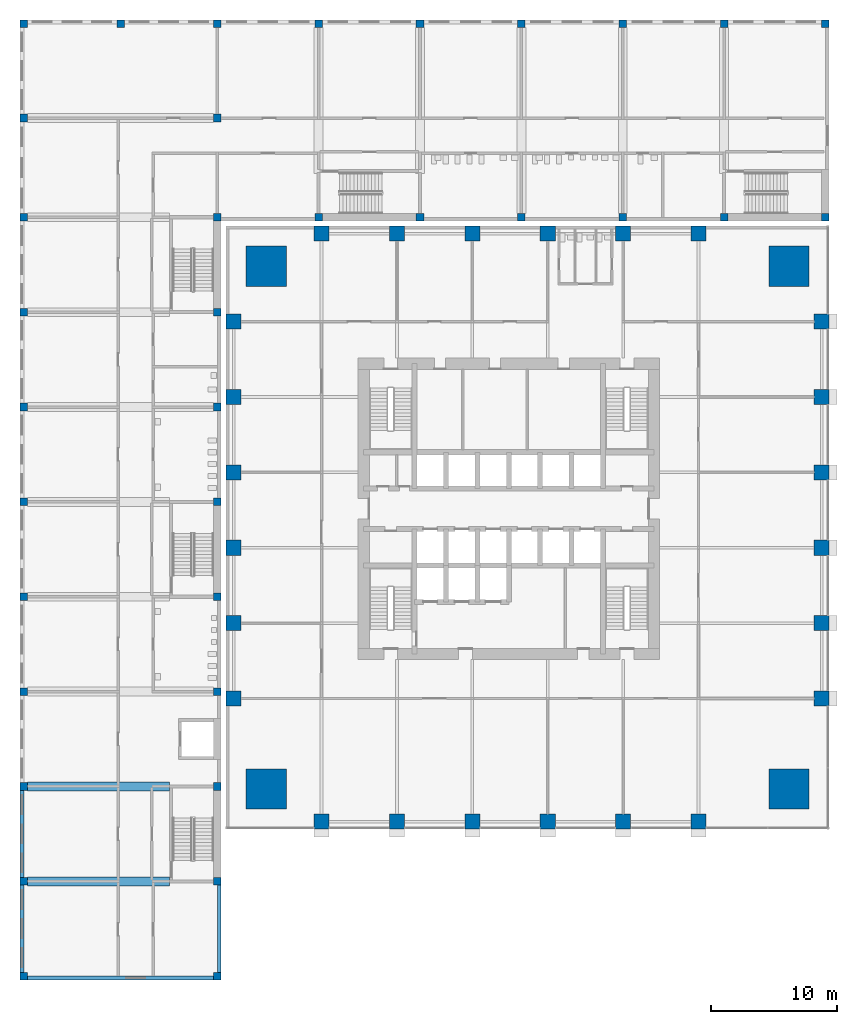
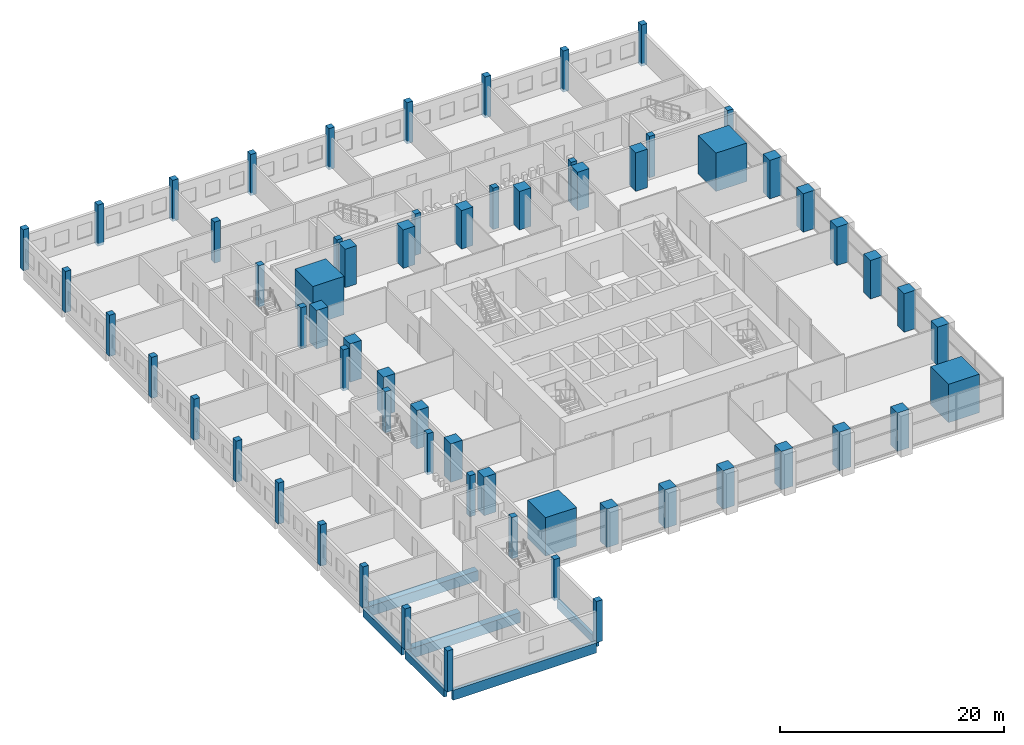
# One storey, part 1 of 25: 63 columns, 6 beams.
"""IFC4 building model written with IfcOpenShell, lengths in metres."""

from ifc_helpers import new_model, si_unit, direction, frame, origin, origin_2d, place, context, subcontext, project, spatial, rectangle, extrude, material, material_profile, profile_set, type_object, element, save


model = new_model("IFC4")

# Units and contexts
model_context = context("Model", 3, precision=1e-05, world=origin(), true_north=direction((0.0, 1.0)))
body_context = subcontext(model_context, "Body", "Model", "MODEL_VIEW")
ifc_project = project(units=[si_unit("LENGTHUNIT", "METRE"), si_unit("AREAUNIT", "SQUARE_METRE"), si_unit("VOLUMEUNIT", "CUBIC_METRE"), si_unit("PLANEANGLEUNIT", "RADIAN"), si_unit("MASSUNIT", "GRAM", prefix="KILO")], contexts=[model_context])

# Site, building, storey
site_placement = place(None, origin())
site = spatial("IfcSite", under=ifc_project, at=site_placement, CompositionType="ELEMENT")
building_placement = place(site_placement, origin())
building = spatial("IfcBuilding", under=site, at=building_placement, Name="Amberfall Residences", CompositionType="ELEMENT")
storey_placement = place(building_placement, frame((0.0, 0.0, 14.5)))
storey = spatial("IfcBuildingStorey", under=building, at=storey_placement, Name="L03", CompositionType="ELEMENT", Elevation=14.5)

# Columns
ifc_material_1 = material(Name="Concrete C80", Category="concrete")
ifc_material_profile_1 = material_profile(ifc_material_1, rectangle(XDim=1.199951171875, YDim=1.199951171875, at=origin_2d()), Name="Column 1200 x 1200 C80")
ifc_profile_set_1 = profile_set([ifc_material_profile_1], Name="Concrete C80")
column_type_1 = type_object("IfcColumnType", Name="Column 1200 x 1200 C80", PredefinedType="COLUMN", material=ifc_profile_set_1)
for number, where, z_axis, x_axis, name in (
    (1, (59.60009765625, 20.60009765625, 0.0), (0.0, 0.0, 1.0), (1.0, 0.0, 0.0), "Column C1 L03 S1"),
    (2, (65.60009765625, 20.60009765625, 0.0), (0.0, 0.0, 1.0), (1.0, 0.0, 0.0), "Column C1 L03 S2"),
    (3, (71.60009765625, 20.60009765625, 0.0), (0.0, 0.0, 1.0), (1.0, 0.0, 0.0), "Column C1 L03 S3"),
    (4, (77.60009765625, 20.60009765625, 0.0), (0.0, 0.0, 1.0), (1.0, 0.0, 0.0), "Column C1 L03 S4"),
    (5, (83.60009765625, 20.60009765625, 0.0), (0.0, 0.0, 1.0), (1.0, 0.0, 0.0), "Column C1 L03 S5"),
    (6, (89.60009765625, 20.60009765625, 0.0), (0.0, 0.0, 1.0), (1.0, 0.0, 0.0), "Column C1 L03 S6"),
    (7, (99.39990234375, 30.39990234375, 0.0), (0.0, 0.0, 1.0), (1.0, 0.0, 0.0), "Column C1 L03 E1"),
    (8, (99.39990234375, 36.39990234375, 0.0), (0.0, 0.0, 1.0), (1.0, 0.0, 0.0), "Column C1 L03 E2"),
    (9, (99.39990234375, 42.39990234375, 0.0), (0.0, 0.0, 1.0), (1.0, 0.0, 0.0), "Column C1 L03 E3"),
    (10, (99.39990234375, 48.39990234375, 0.0), (0.0, 0.0, 1.0), (1.0, 0.0, 0.0), "Column C1 L03 E4"),
    (11, (99.39990234375, 54.39990234375, 0.0), (0.0, 0.0, 1.0), (1.0, 0.0, 0.0), "Column C1 L03 E5"),
    (12, (99.39990234375, 60.39990234375, 0.0), (0.0, 0.0, 1.0), (1.0, 0.0, 0.0), "Column C1 L03 E6"),
    (13, (59.60009765625, 67.39990234375, 0.0), (0.0, 0.0, 1.0), (1.0, 0.0, 0.0), "Column C1 L03 N1"),
    (14, (65.60009765625, 67.39990234375, 0.0), (0.0, 0.0, 1.0), (1.0, 0.0, 0.0), "Column C1 L03 N2"),
    (15, (71.60009765625, 67.39990234375, 0.0), (0.0, 0.0, 1.0), (1.0, 0.0, 0.0), "Column C1 L03 N3"),
    (16, (77.60009765625, 67.39990234375, 0.0), (0.0, 0.0, 1.0), (1.0, 0.0, 0.0), "Column C1 L03 N4"),
    (17, (83.60009765625, 67.39990234375, 0.0), (0.0, 0.0, 1.0), (1.0, 0.0, 0.0), "Column C1 L03 N5"),
    (18, (89.60009765625, 67.39990234375, 0.0), (0.0, 0.0, 1.0), (1.0, 0.0, 0.0), "Column C1 L03 N6"),
    (19, (52.60009765625, 30.39990234375, 0.0), (0.0, 0.0, 1.0), (1.0, 0.0, 0.0), "Column C1 L03 W1"),
    (20, (52.60009765625, 36.39990234375, 0.0), (0.0, 0.0, 1.0), (1.0, 0.0, 0.0), "Column C1 L03 W2"),
    (21, (52.60009765625, 42.39990234375, 0.0), (0.0, 0.0, 1.0), (1.0, 0.0, 0.0), "Column C1 L03 W3"),
    (22, (52.60009765625, 48.39990234375, 0.0), (0.0, 0.0, 1.0), (1.0, 0.0, 0.0), "Column C1 L03 W4"),
    (23, (52.60009765625, 54.39990234375, 0.0), (0.0, 0.0, 1.0), (1.0, 0.0, 0.0), "Column C1 L03 W5"),
    (24, (52.60009765625, 60.39990234375, 0.0), (0.0, 0.0, 1.0), (1.0, 0.0, 0.0), "Column C1 L03 W6"),
):
    element("IfcColumn", number, at=place(storey_placement, frame(where, z_axis=z_axis, x_axis=x_axis)), inside=storey, type_object=column_type_1, Name=name, PredefinedType="COLUMN", context=body_context, shape_type="SweptSolid", body=[
        extrude(rectangle(XDim=1.199951171875, YDim=1.199951171875, at=origin_2d()), origin(), (0.0, 0.0, 1.0), 4.199951171875),
    ])
ifc_material_profile_2 = material_profile(ifc_material_1, rectangle(XDim=3.199951171875, YDim=3.199951171875, at=origin_2d()), Name="Mega column 3200 x 3200 C80")
ifc_profile_set_2 = profile_set([ifc_material_profile_2], Name="Concrete C80")
column_type_2 = type_object("IfcColumnType", Name="Mega column 3200 x 3200 C80", PredefinedType="COLUMN", material=ifc_profile_set_2)
for number, where, z_axis, x_axis, name in (
    (25, (55.199951171875, 23.199951171875, 0.0), (0.0, 0.0, 1.0), (1.0, 0.0, 0.0), "Mega column MC1 L03 SW"),
    (26, (96.800048828125, 23.199951171875, 0.0), (0.0, 0.0, 1.0), (1.0, 0.0, 0.0), "Mega column MC1 L03 SE"),
    (27, (96.800048828125, 64.800048828125, 0.0), (0.0, 0.0, 1.0), (1.0, 0.0, 0.0), "Mega column MC1 L03 NE"),
    (28, (55.199951171875, 64.800048828125, 0.0), (0.0, 0.0, 1.0), (1.0, 0.0, 0.0), "Mega column MC1 L03 NW"),
):
    element("IfcColumn", number, at=place(storey_placement, frame(where, z_axis=z_axis, x_axis=x_axis)), inside=storey, type_object=column_type_2, Name=name, PredefinedType="COLUMN", context=body_context, shape_type="SweptSolid", body=[
        extrude(rectangle(XDim=3.199951171875, YDim=3.199951171875, at=origin_2d()), origin(), (0.0, 0.0, 1.0), 4.199951171875),
    ])
ifc_material_2 = material(Name="Concrete C40", Category="concrete")
ifc_material_profile_3 = material_profile(ifc_material_2, rectangle(XDim=0.60009765625, YDim=0.60009765625, at=origin_2d()), Name="School column 600 x 600 C40")
ifc_profile_set_3 = profile_set([ifc_material_profile_3], Name="Concrete C40")
column_type_3 = type_object("IfcColumnType", Name="School column 600 x 600 C40", PredefinedType="COLUMN", material=ifc_profile_set_3)
for number, where, z_axis, x_axis, name in (
    (29, (35.89990234375, 8.300048828125, -0.300048828125), (0.0, 0.0, 1.0), (1.0, 0.0, 0.0), "School column L03 01"),
    (30, (51.300048828125, 8.300048828125, -0.300048828125), (0.0, 0.0, 1.0), (1.0, 0.0, 0.0), "School column L03 02"),
    (31, (35.89990234375, 15.85009765625, -0.300048828125), (0.0, 0.0, 1.0), (1.0, 0.0, 0.0), "School column L03 03"),
    (32, (51.300048828125, 15.85009765625, -0.300048828125), (0.0, 0.0, 1.0), (1.0, 0.0, 0.0), "School column L03 04"),
    (33, (35.89990234375, 23.39990234375, -0.300048828125), (0.0, 0.0, 1.0), (1.0, 0.0, 0.0), "School column L03 05"),
    (34, (51.300048828125, 23.39990234375, -0.300048828125), (0.0, 0.0, 1.0), (1.0, 0.0, 0.0), "School column L03 06"),
    (35, (35.89990234375, 30.949951171875, -0.300048828125), (0.0, 0.0, 1.0), (1.0, 0.0, 0.0), "School column L03 07"),
    (36, (51.300048828125, 30.949951171875, -0.300048828125), (0.0, 0.0, 1.0), (1.0, 0.0, 0.0), "School column L03 08"),
    (37, (35.89990234375, 38.5, -0.300048828125), (0.0, 0.0, 1.0), (1.0, 0.0, 0.0), "School column L03 09"),
    (38, (51.300048828125, 38.5, -0.300048828125), (0.0, 0.0, 1.0), (1.0, 0.0, 0.0), "School column L03 10"),
    (39, (35.89990234375, 46.050048828125, -0.300048828125), (0.0, 0.0, 1.0), (1.0, 0.0, 0.0), "School column L03 11"),
    (40, (51.300048828125, 46.050048828125, -0.300048828125), (0.0, 0.0, 1.0), (1.0, 0.0, 0.0), "School column L03 12"),
    (41, (35.89990234375, 53.60009765625, -0.300048828125), (0.0, 0.0, 1.0), (1.0, 0.0, 0.0), "School column L03 13"),
    (42, (51.300048828125, 53.60009765625, -0.300048828125), (0.0, 0.0, 1.0), (1.0, 0.0, 0.0), "School column L03 14"),
    (43, (35.89990234375, 61.14990234375, -0.300048828125), (0.0, 0.0, 1.0), (1.0, 0.0, 0.0), "School column L03 15"),
    (44, (51.300048828125, 61.14990234375, -0.300048828125), (0.0, 0.0, 1.0), (1.0, 0.0, 0.0), "School column L03 16"),
    (45, (35.89990234375, 68.699951171875, -0.300048828125), (0.0, 0.0, 1.0), (1.0, 0.0, 0.0), "School column L03 17"),
    (46, (51.300048828125, 68.699951171875, -0.300048828125), (0.0, 0.0, 1.0), (1.0, 0.0, 0.0), "School column L03 18"),
    (47, (35.89990234375, 76.60009765625, -0.300048828125), (0.0, 0.0, 1.0), (1.0, 0.0, 0.0), "School column L03 19"),
    (48, (51.300048828125, 76.60009765625, -0.300048828125), (0.0, 0.0, 1.0), (1.0, 0.0, 0.0), "School column L03 20"),
    (49, (35.89990234375, 84.10009765625, -0.300048828125), (0.0, 0.0, 1.0), (1.0, 0.0, 0.0), "School column L03 21"),
    (50, (51.300048828125, 84.10009765625, -0.300048828125), (0.0, 0.0, 1.0), (1.0, 0.0, 0.0), "School column L03 22"),
    (51, (43.60009765625, 84.10009765625, -0.300048828125), (0.0, 0.0, 1.0), (1.0, 0.0, 0.0), "School column L03 23"),
    (52, (59.366943359375, 84.10009765625, -0.300048828125), (0.0, 0.0, 1.0), (1.0, 0.0, 0.0), "School column L03 24"),
    (53, (59.366943359375, 68.699951171875, -0.300048828125), (0.0, 0.0, 1.0), (1.0, 0.0, 0.0), "School column L03 25"),
    (54, (67.43310546875, 84.10009765625, -0.300048828125), (0.0, 0.0, 1.0), (1.0, 0.0, 0.0), "School column L03 26"),
    (55, (67.43310546875, 68.699951171875, -0.300048828125), (0.0, 0.0, 1.0), (1.0, 0.0, 0.0), "School column L03 27"),
    (56, (75.5, 84.10009765625, -0.300048828125), (0.0, 0.0, 1.0), (1.0, 0.0, 0.0), "School column L03 28"),
    (57, (75.5, 68.699951171875, -0.300048828125), (0.0, 0.0, 1.0), (1.0, 0.0, 0.0), "School column L03 29"),
    (58, (83.56689453125, 84.10009765625, -0.300048828125), (0.0, 0.0, 1.0), (1.0, 0.0, 0.0), "School column L03 30"),
    (59, (83.56689453125, 68.699951171875, -0.300048828125), (0.0, 0.0, 1.0), (1.0, 0.0, 0.0), "School column L03 31"),
    (60, (91.633056640625, 84.10009765625, -0.300048828125), (0.0, 0.0, 1.0), (1.0, 0.0, 0.0), "School column L03 32"),
    (61, (91.633056640625, 68.699951171875, -0.300048828125), (0.0, 0.0, 1.0), (1.0, 0.0, 0.0), "School column L03 33"),
    (62, (99.699951171875, 84.10009765625, -0.300048828125), (0.0, 0.0, 1.0), (1.0, 0.0, 0.0), "School column L03 34"),
    (63, (99.699951171875, 68.699951171875, -0.300048828125), (0.0, 0.0, 1.0), (1.0, 0.0, 0.0), "School column L03 35"),
):
    element("IfcColumn", number, at=place(storey_placement, frame(where, z_axis=z_axis, x_axis=x_axis)), inside=storey, type_object=column_type_3, Name=name, PredefinedType="COLUMN", context=body_context, shape_type="SweptSolid", body=[
        extrude(rectangle(XDim=0.60009765625, YDim=0.60009765625, at=origin_2d()), origin(), (0.0, 0.0, 1.0), 4.5),
    ])

# Beams
ifc_material_profile_4 = material_profile(ifc_material_2, rectangle(XDim=0.699951171875, YDim=1.10009765625, at=origin_2d()), Name="School beam 700 x 1100 C40")
ifc_profile_set_4 = profile_set([ifc_material_profile_4], Name="Concrete C40")
beam_type_1 = type_object("IfcBeamType", Name="School beam 700 x 1100 C40", PredefinedType="BEAM", material=ifc_profile_set_4)
for number, where, z_axis, x_axis, name in (
    (64, (36.199951171875, 15.85009765625, -0.85009765625), (1.0, 0.0, 0.0), (0.0, 1.0, 0.0), "TW1"),
    (65, (36.199951171875, 23.39990234375, -0.85009765625), (1.0, 0.0, 0.0), (0.0, 1.0, 0.0), "TW2"),
):
    element("IfcBeam", number, at=place(storey_placement, frame(where, z_axis=z_axis, x_axis=x_axis)), inside=storey, type_object=beam_type_1, Name=name, PredefinedType="BEAM", context=body_context, shape_type="SweptSolid", body=[
        extrude(rectangle(XDim=0.699951171875, YDim=1.10009765625, at=origin_2d()), origin(), (0.0, 0.0, 1.0), 11.300048828125),
    ])
ifc_material_profile_5 = material_profile(ifc_material_2, rectangle(XDim=0.300048828125, YDim=0.89990234375, at=origin_2d()), Name="School edge beam 300 x 900 C40")
ifc_profile_set_5 = profile_set([ifc_material_profile_5], Name="Concrete C40")
beam_type_2 = type_object("IfcBeamType", Name="School edge beam 300 x 900 C40", PredefinedType="BEAM", material=ifc_profile_set_5)
beam_1_placement = place(storey_placement, frame((35.75, 8.60009765625, -0.75), z_axis=(0.0, 1.0, 0.0), x_axis=(-1.0, 0.0, 0.0)))
element("IfcBeam", 66, at=beam_1_placement, inside=storey, type_object=beam_type_2, Name="GW0", PredefinedType="BEAM", context=body_context, shape_type="SweptSolid", body=[
    extrude(rectangle(XDim=0.300048828125, YDim=0.89990234375, at=origin_2d()), origin(), (0.0, 0.0, 1.0), 6.949951171875),
])
beam_2_placement = place(storey_placement, frame((35.75, 16.14990234375, -0.75), z_axis=(0.0, 1.0, 0.0), x_axis=(-1.0, 0.0, 0.0)))
element("IfcBeam", 67, at=beam_2_placement, inside=storey, type_object=beam_type_2, Name="GW1", PredefinedType="BEAM", context=body_context, shape_type="SweptSolid", body=[
    extrude(rectangle(XDim=0.300048828125, YDim=0.89990234375, at=origin_2d()), origin(), (0.0, 0.0, 1.0), 6.9501953125),
])
beam_3_placement = place(storey_placement, frame((51.449951171875, 8.60009765625, -0.75), z_axis=(0.0, 1.0, 0.0), x_axis=(-1.0, 0.0, 0.0)))
element("IfcBeam", 68, at=beam_3_placement, inside=storey, type_object=beam_type_2, Name="GE0", PredefinedType="BEAM", context=body_context, shape_type="SweptSolid", body=[
    extrude(rectangle(XDim=0.300048828125, YDim=0.89990234375, at=origin_2d()), origin(), (0.0, 0.0, 1.0), 6.949951171875),
])
ifc_material_profile_6 = material_profile(ifc_material_2, rectangle(XDim=0.300048828125, YDim=1.10009765625, at=origin_2d()), Name="School end beam 300 x 1100 C40")
ifc_profile_set_6 = profile_set([ifc_material_profile_6], Name="Concrete C40")
beam_type_3 = type_object("IfcBeamType", Name="School end beam 300 x 1100 C40", PredefinedType="BEAM", material=ifc_profile_set_6)
beam_4_placement = place(storey_placement, frame((36.199951171875, 8.14990234375, -0.85009765625), z_axis=(1.0, 0.0, 0.0), x_axis=(0.0, 1.0, 0.0)))
element("IfcBeam", 69, at=beam_4_placement, inside=storey, type_object=beam_type_3, Name="ES", PredefinedType="BEAM", context=body_context, shape_type="SweptSolid", body=[
    extrude(rectangle(XDim=0.300048828125, YDim=1.10009765625, at=origin_2d()), origin(), (0.0, 0.0, 1.0), 14.800048828125),
])

save(model, "model.ifc")
